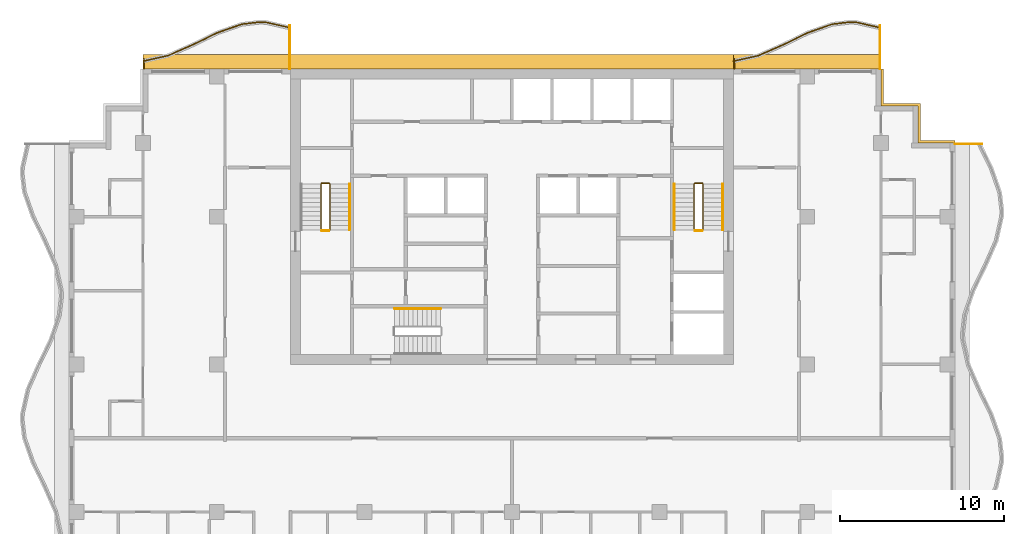
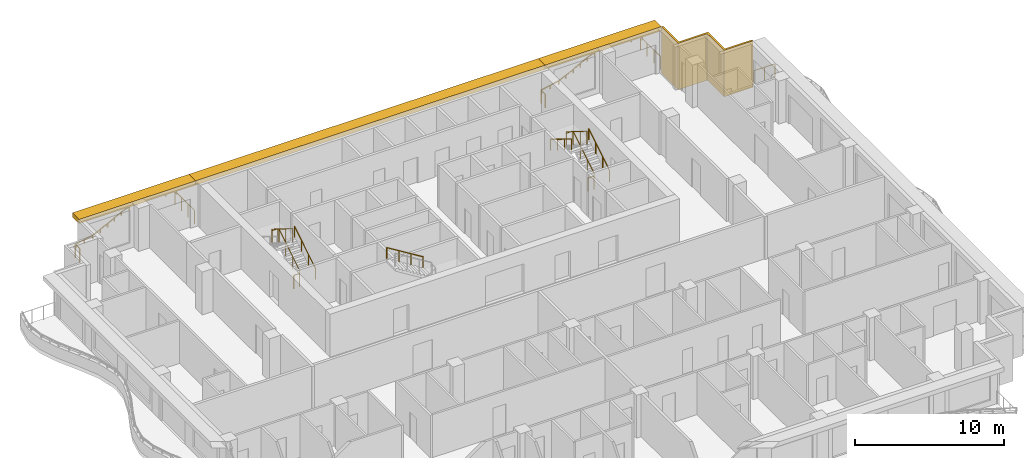
# One storey, part 11 of 11: 15 railings, 4 shading devices.
"""IFC4 building model written with IfcOpenShell, lengths in metres."""

from ifc_helpers import new_model, si_unit, direction, frame, origin, origin_2d, place, context, subcontext, project, spatial, polyline, rectangle, circle, outline, extrude, material, layer, layer_set, type_object, element, save


model = new_model("IFC4")

# Units and contexts
model_context = context("Model", 3, precision=1e-05, world=origin(), true_north=direction((0.0, 1.0)))
body_context = subcontext(model_context, "Body", "Model", "MODEL_VIEW")
ifc_project = project(units=[si_unit("LENGTHUNIT", "METRE"), si_unit("AREAUNIT", "SQUARE_METRE"), si_unit("VOLUMEUNIT", "CUBIC_METRE"), si_unit("PLANEANGLEUNIT", "RADIAN"), si_unit("MASSUNIT", "GRAM", prefix="KILO")], contexts=[model_context])

# Site, building, storey
site_placement = place(None, origin())
site = spatial("IfcSite", under=ifc_project, at=site_placement, CompositionType="ELEMENT")
building_placement = place(site_placement, origin())
building = spatial("IfcBuilding", under=site, at=building_placement, Name="Orbiselva Terraces", CompositionType="ELEMENT")
storey_placement = place(building_placement, frame((0.0, 0.0, 276.8)))
storey = spatial("IfcBuildingStorey", under=building, at=storey_placement, Name="L70", CompositionType="ELEMENT", Elevation=276.8)

# Railings
ifc_material_1 = material(Name="Stainless steel", Category="steel")
railing_type_1 = type_object("IfcRailingType", Name="CORE-GUARD-1100", PredefinedType="GUARDRAIL", material=ifc_material_1)
railing_1_placement = place(storey_placement, frame((-11.1, 12.7, 0.172727)))
element("IfcRailing", 1, at=railing_1_placement, inside=storey, type_object=railing_type_1, Name="L70 S1 stair guard 1", PredefinedType="GUARDRAIL", context=body_context, shape_type="SweptSolid", body=[
    extrude(circle(Radius=0.024, at=origin_2d()), frame((0.0, 0.0, 1.081), z_axis=(0.0, 0.851088519012, 0.52502222125), x_axis=(-1.0, 0.0, 0.0)), (0.0, 0.0, 1.0), 3.289905),
    extrude(circle(Radius=0.024, at=origin_2d()), frame((0.0, 2.8, 2.808273), z_axis=(-0.707106781187, 0.707106781187, 0.0), x_axis=(-0.707106781187, -0.707106781187, 0.0)), (0.0, 0.0, 1.0), 0.070711),
    extrude(circle(Radius=0.024, at=origin_2d()), frame((-0.05, 2.85, 2.808273), z_axis=(-1.0, 0.0, 0.0), x_axis=(0.0, -1.0, 0.0)), (0.0, 0.0, 1.0), 0.45),
    extrude(circle(Radius=0.024, at=origin_2d()), frame((-0.5, 2.85, 2.808273), z_axis=(-0.267894925557, -0.267894925557, 0.925453736133), x_axis=(0.707106781187, -0.707106781187, 0.0)), (0.0, 0.0, 1.0), 0.18664),
    extrude(circle(Radius=0.024, at=origin_2d()), frame((-0.55, 2.8, 2.981), z_axis=(0.0, -0.851088519012, 0.52502222125), x_axis=(1.0, 0.0, 0.0)), (0.0, 0.0, 1.0), 3.289905),
    extrude(circle(Radius=0.021, at=origin_2d()), origin(), (0.0, 0.0, 1.0), 1.057),
    extrude(circle(Radius=0.021, at=origin_2d()), frame((0.0, 0.933333, 0.575758)), (0.0, 0.0, 1.0), 1.057),
    extrude(circle(Radius=0.021, at=origin_2d()), frame((0.0, 1.866667, 1.151515)), (0.0, 0.0, 1.0), 1.057),
    extrude(circle(Radius=0.021, at=origin_2d()), frame((0.0, 2.8, 1.727273)), (0.0, 0.0, 1.0), 1.057),
    extrude(circle(Radius=0.021, at=origin_2d()), frame((-0.05, 2.85, 1.727273)), (0.0, 0.0, 1.0), 1.057),
    extrude(circle(Radius=0.021, at=origin_2d()), frame((-0.5, 2.85, 1.727273)), (0.0, 0.0, 1.0), 1.057),
    extrude(circle(Radius=0.021, at=origin_2d()), frame((-0.55, 2.8, 1.9)), (0.0, 0.0, 1.0), 1.057),
    extrude(circle(Radius=0.021, at=origin_2d()), frame((-0.55, 1.866667, 2.475758)), (0.0, 0.0, 1.0), 1.057),
    extrude(circle(Radius=0.021, at=origin_2d()), frame((-0.55, 0.933333, 3.051515)), (0.0, 0.0, 1.0), 1.057),
    extrude(circle(Radius=0.021, at=origin_2d()), frame((-0.55, 0.0, 3.627273)), (0.0, 0.0, 1.0), 1.057),
])
railing_2_placement = place(storey_placement, frame((-11.15, 12.65, 0.0)))
element("IfcRailing", 2, at=railing_2_placement, inside=storey, type_object=railing_type_1, Name="L70 S1 stair guard 2", PredefinedType="GUARDRAIL", context=body_context, shape_type="SweptSolid", body=[
    extrude(circle(Radius=0.024, at=origin_2d()), frame((0.0, 0.0, 1.081), z_axis=(-1.0, 0.0, 0.0), x_axis=(0.0, -1.0, 0.0)), (0.0, 0.0, 1.0), 0.45),
    extrude(circle(Radius=0.021, at=origin_2d()), origin(), (0.0, 0.0, 1.0), 1.057),
    extrude(circle(Radius=0.021, at=origin_2d()), frame((-0.45, 0.0, 0.0)), (0.0, 0.0, 1.0), 1.057),
])
railing_3_placement = place(storey_placement, frame((11.65, 12.7, 0.172727)))
element("IfcRailing", 3, at=railing_3_placement, inside=storey, type_object=railing_type_1, Name="L70 S2 stair guard 1", PredefinedType="GUARDRAIL", context=body_context, shape_type="SweptSolid", body=[
    extrude(circle(Radius=0.024, at=origin_2d()), frame((0.0, 0.0, 1.081), z_axis=(0.0, 0.851088519012, 0.52502222125), x_axis=(-1.0, 0.0, 0.0)), (0.0, 0.0, 1.0), 3.289905),
    extrude(circle(Radius=0.024, at=origin_2d()), frame((0.0, 2.8, 2.808273), z_axis=(-0.707106781187, 0.707106781187, 0.0), x_axis=(-0.707106781187, -0.707106781187, 0.0)), (0.0, 0.0, 1.0), 0.070711),
    extrude(circle(Radius=0.024, at=origin_2d()), frame((-0.05, 2.85, 2.808273), z_axis=(-1.0, 0.0, 0.0), x_axis=(0.0, -1.0, 0.0)), (0.0, 0.0, 1.0), 0.45),
    extrude(circle(Radius=0.024, at=origin_2d()), frame((-0.5, 2.85, 2.808273), z_axis=(-0.267894925557, -0.267894925557, 0.925453736133), x_axis=(0.707106781187, -0.707106781187, 0.0)), (0.0, 0.0, 1.0), 0.18664),
    extrude(circle(Radius=0.024, at=origin_2d()), frame((-0.55, 2.8, 2.981), z_axis=(0.0, -0.851088519012, 0.52502222125), x_axis=(1.0, 0.0, 0.0)), (0.0, 0.0, 1.0), 3.289905),
    extrude(circle(Radius=0.021, at=origin_2d()), origin(), (0.0, 0.0, 1.0), 1.057),
    extrude(circle(Radius=0.021, at=origin_2d()), frame((0.0, 0.933333, 0.575758)), (0.0, 0.0, 1.0), 1.057),
    extrude(circle(Radius=0.021, at=origin_2d()), frame((0.0, 1.866667, 1.151515)), (0.0, 0.0, 1.0), 1.057),
    extrude(circle(Radius=0.021, at=origin_2d()), frame((0.0, 2.8, 1.727273)), (0.0, 0.0, 1.0), 1.057),
    extrude(circle(Radius=0.021, at=origin_2d()), frame((-0.05, 2.85, 1.727273)), (0.0, 0.0, 1.0), 1.057),
    extrude(circle(Radius=0.021, at=origin_2d()), frame((-0.5, 2.85, 1.727273)), (0.0, 0.0, 1.0), 1.057),
    extrude(circle(Radius=0.021, at=origin_2d()), frame((-0.55, 2.8, 1.9)), (0.0, 0.0, 1.0), 1.057),
    extrude(circle(Radius=0.021, at=origin_2d()), frame((-0.55, 1.866667, 2.475758)), (0.0, 0.0, 1.0), 1.057),
    extrude(circle(Radius=0.021, at=origin_2d()), frame((-0.55, 0.933333, 3.051515)), (0.0, 0.0, 1.0), 1.057),
    extrude(circle(Radius=0.021, at=origin_2d()), frame((-0.55, 0.0, 3.627273)), (0.0, 0.0, 1.0), 1.057),
])
railing_4_placement = place(storey_placement, frame((11.6, 12.65, 0.0)))
element("IfcRailing", 4, at=railing_4_placement, inside=storey, type_object=railing_type_1, Name="L70 S2 stair guard 2", PredefinedType="GUARDRAIL", context=body_context, shape_type="SweptSolid", body=[
    extrude(circle(Radius=0.024, at=origin_2d()), frame((0.0, 0.0, 1.081), z_axis=(-1.0, 0.0, 0.0), x_axis=(0.0, -1.0, 0.0)), (0.0, 0.0, 1.0), 0.45),
    extrude(circle(Radius=0.021, at=origin_2d()), origin(), (0.0, 0.0, 1.0), 1.057),
    extrude(circle(Radius=0.021, at=origin_2d()), frame((-0.45, 0.0, 0.0)), (0.0, 0.0, 1.0), 1.057),
])
railing_type_2 = type_object("IfcRailingType", Name="CORE-HANDRAIL-900", PredefinedType="HANDRAIL", material=ifc_material_1)
for number, where, name in (
    (5, (-9.9, 12.7, 0.172727), "L70 S1 stair handrail 1"),
    (6, (12.85, 12.7, 0.172727), "L70 S2 stair handrail 1"),
):
    element("IfcRailing", number, at=place(storey_placement, frame(where)), inside=storey, type_object=railing_type_2, Name=name, PredefinedType="HANDRAIL", context=body_context, shape_type="SweptSolid", body=[
        extrude(circle(Radius=0.024, at=origin_2d()), frame((0.0, 0.0, 0.876), z_axis=(0.0, 0.851088519012, 0.52502222125), x_axis=(-1.0, 0.0, 0.0)), (0.0, 0.0, 1.0), 3.289905),
        extrude(circle(Radius=0.021, at=origin_2d()), origin(), (0.0, 0.0, 1.0), 0.852),
        extrude(circle(Radius=0.021, at=origin_2d()), frame((0.0, 0.933333, 0.575758)), (0.0, 0.0, 1.0), 0.852),
        extrude(circle(Radius=0.021, at=origin_2d()), frame((0.0, 1.866667, 1.151515)), (0.0, 0.0, 1.0), 0.852),
        extrude(circle(Radius=0.021, at=origin_2d()), frame((0.0, 2.8, 1.727273)), (0.0, 0.0, 1.0), 0.852),
    ])
railing_5_placement = place(storey_placement, frame((9.9, 15.5, 2.072727)))
element("IfcRailing", 7, at=railing_5_placement, inside=storey, type_object=railing_type_2, Name="L70 S2 stair handrail 2", PredefinedType="HANDRAIL", context=body_context, shape_type="SweptSolid", body=[
    extrude(circle(Radius=0.024, at=origin_2d()), frame((0.0, 0.0, 0.876), z_axis=(0.0, -0.851088519012, 0.52502222125), x_axis=(1.0, 0.0, 0.0)), (0.0, 0.0, 1.0), 3.289905),
    extrude(circle(Radius=0.021, at=origin_2d()), origin(), (0.0, 0.0, 1.0), 0.852),
    extrude(circle(Radius=0.021, at=origin_2d()), frame((0.0, -0.933333, 0.575758)), (0.0, 0.0, 1.0), 0.852),
    extrude(circle(Radius=0.021, at=origin_2d()), frame((0.0, -1.866667, 1.151515)), (0.0, 0.0, 1.0), 0.852),
    extrude(circle(Radius=0.021, at=origin_2d()), frame((0.0, -2.8, 1.727273)), (0.0, 0.0, 1.0), 0.852),
])
railing_6_placement = place(storey_placement, frame((-4.35, 7.9, 2.072727)))
element("IfcRailing", 8, at=railing_6_placement, inside=storey, type_object=railing_type_2, Name="L70 S3 stair handrail 2", PredefinedType="HANDRAIL", context=body_context, shape_type="SweptSolid", body=[
    extrude(circle(Radius=0.024, at=origin_2d()), frame((0.0, 0.0, 0.876), z_axis=(-0.851088519012, 0.0, 0.52502222125), x_axis=(0.0, -1.0, 0.0)), (0.0, 0.0, 1.0), 3.289905),
    extrude(circle(Radius=0.021, at=origin_2d()), origin(), (0.0, 0.0, 1.0), 0.852),
    extrude(circle(Radius=0.021, at=origin_2d()), frame((-0.933333, 0.0, 0.575758)), (0.0, 0.0, 1.0), 0.852),
    extrude(circle(Radius=0.021, at=origin_2d()), frame((-1.866667, 0.0, 1.151515)), (0.0, 0.0, 1.0), 0.852),
    extrude(circle(Radius=0.021, at=origin_2d()), frame((-2.8, 0.0, 1.727273)), (0.0, 0.0, 1.0), 0.852),
])
ifc_material_2 = material(Name="Bonded two-ply safety glass balustrade, stainless steel posts", Category="steel")
railing_type_3 = type_object("IfcRailingType", Name="ENV-BALUSTRADE-1200", PredefinedType="BALUSTRADE", material=ifc_material_2)
railing_7_placement = place(storey_placement, frame((22.472623, 25.026563, 0.9)))
element("IfcRailing", 9, at=railing_7_placement, inside=storey, type_object=railing_type_3, Name="Balcony balustrade L70 NE", PredefinedType="BALUSTRADE", context=body_context, shape_type="SweptSolid", body=[
    extrude(outline(polyline([(0.028868, 0.0), (0.014434, 0.025), (-0.014434, 0.025), (-0.028868, 0.0), (-0.014434, -0.025), (0.014434, -0.025), (0.028868, 0.0)])), frame((0.0, 0.0, 0.275), z_axis=(-0.975721322437, 0.21901575501, 0.0), x_axis=(-0.21901575501, -0.975721322437, 0.0)), (0.0, 0.0, 1.0), 1.525954),
    extrude(outline(polyline([(0.028868, 0.0), (0.014434, 0.025), (-0.014434, 0.025), (-0.028868, 0.0), (-0.014434, -0.025), (0.014434, -0.025), (0.028868, 0.0)])), frame((-1.488906, 0.334208, 0.275), z_axis=(-0.999224931454, 0.039364150694, 0.0), x_axis=(-0.039364150694, -0.999224931454, 0.0)), (0.0, 0.0, 1.0), 0.354206),
    extrude(outline(polyline([(0.028868, 0.0), (0.014434, 0.025), (-0.014434, 0.025), (-0.028868, 0.0), (-0.014434, -0.025), (0.014434, -0.025), (0.028868, 0.0)])), frame((-1.842837, 0.348151, 0.275), z_axis=(-0.993309658409, -0.115481264762, 0.0), x_axis=(0.115481264762, -0.993309658409, 0.0)), (0.0, 0.0, 1.0), 1.10902),
    extrude(outline(polyline([(0.028868, 0.0), (0.014434, 0.025), (-0.014434, 0.025), (-0.028868, 0.0), (-0.014434, -0.025), (0.014434, -0.025), (0.028868, 0.0)])), frame((-2.944437, 0.22008, 0.275), z_axis=(-0.943972277814, -0.330024754707, 0.0), x_axis=(0.330024754707, -0.943972277814, 0.0)), (0.0, 0.0, 1.0), 1.567807),
    extrude(outline(polyline([(0.028868, 0.0), (0.014434, 0.025), (-0.014434, 0.025), (-0.028868, 0.0), (-0.014434, -0.025), (0.014434, -0.025), (0.028868, 0.0)])), frame((-4.424403, -0.297335, 0.275), z_axis=(-0.89857890432, -0.438811978768, 0.0), x_axis=(0.438811978768, -0.89857890432, 0.0)), (0.0, 0.0, 1.0), 1.66438),
    extrude(outline(polyline([(0.028868, 0.0), (0.014434, 0.025), (-0.014434, 0.025), (-0.028868, 0.0), (-0.014434, -0.025), (0.014434, -0.025), (0.028868, 0.0)])), frame((-5.91998, -1.027685, 0.275), z_axis=(-0.915133527237, -0.403150874148, 0.0), x_axis=(0.403150874148, -0.915133527237, 0.0)), (0.0, 0.0, 1.0), 1.653736),
    extrude(outline(polyline([(0.028868, 0.0), (0.014434, 0.025), (-0.014434, 0.025), (-0.028868, 0.0), (-0.014434, -0.025), (0.014434, -0.025), (0.028868, 0.0)])), frame((-7.433369, -1.69439, 0.275), z_axis=(-0.975721349543, -0.219015634252, 0.0), x_axis=(0.219015634252, -0.975721349543, 0.0)), (0.0, 0.0, 1.0), 1.549497),
    extrude(rectangle(XDim=0.05, YDim=0.05, at=origin_2d()), origin(), (0.0, 0.0, 1.0), 0.25),
    extrude(rectangle(XDim=0.05, YDim=0.05, at=origin_2d()), frame((-0.744453, 0.167104, 0.0)), (0.0, 0.0, 1.0), 0.25),
    extrude(rectangle(XDim=0.05, YDim=0.05, at=origin_2d()), frame((-1.488906, 0.334208, 0.0)), (0.0, 0.0, 1.0), 0.25),
    extrude(rectangle(XDim=0.05, YDim=0.05, at=origin_2d()), frame((-1.842837, 0.348151, 0.0)), (0.0, 0.0, 1.0), 0.25),
    extrude(rectangle(XDim=0.05, YDim=0.05, at=origin_2d()), frame((-2.944437, 0.22008, 0.0)), (0.0, 0.0, 1.0), 0.25),
    extrude(rectangle(XDim=0.05, YDim=0.05, at=origin_2d()), frame((-3.68442, -0.038628, 0.0)), (0.0, 0.0, 1.0), 0.25),
    extrude(rectangle(XDim=0.05, YDim=0.05, at=origin_2d()), frame((-4.424403, -0.297335, 0.0)), (0.0, 0.0, 1.0), 0.25),
    extrude(rectangle(XDim=0.05, YDim=0.05, at=origin_2d()), frame((-5.172191, -0.66251, 0.0)), (0.0, 0.0, 1.0), 0.25),
    extrude(rectangle(XDim=0.05, YDim=0.05, at=origin_2d()), frame((-5.91998, -1.027685, 0.0)), (0.0, 0.0, 1.0), 0.25),
    extrude(rectangle(XDim=0.05, YDim=0.05, at=origin_2d()), frame((-6.676674, -1.361037, 0.0)), (0.0, 0.0, 1.0), 0.25),
    extrude(rectangle(XDim=0.05, YDim=0.05, at=origin_2d()), frame((-7.433369, -1.69439, 0.0)), (0.0, 0.0, 1.0), 0.25),
    extrude(rectangle(XDim=0.05, YDim=0.05, at=origin_2d()), frame((-8.189307, -1.864072, 0.0)), (0.0, 0.0, 1.0), 0.25),
    extrude(rectangle(XDim=0.05, YDim=0.05, at=origin_2d()), frame((-8.945246, -2.033754, 0.0)), (0.0, 0.0, 1.0), 0.25),
])
railing_8_placement = place(storey_placement, frame((-13.527377, 25.026563, 0.9)))
element("IfcRailing", 10, at=railing_8_placement, inside=storey, type_object=railing_type_3, Name="Balcony balustrade L70 NW", PredefinedType="BALUSTRADE", context=body_context, shape_type="SweptSolid", body=[
    extrude(outline(polyline([(0.028868, 0.0), (0.014434, 0.025), (-0.014434, 0.025), (-0.028868, 0.0), (-0.014434, -0.025), (0.014434, -0.025), (0.028868, 0.0)])), frame((0.0, 0.0, 0.275), z_axis=(-0.975721322437, 0.21901575501, 0.0), x_axis=(-0.21901575501, -0.975721322437, 0.0)), (0.0, 0.0, 1.0), 1.525954),
    extrude(outline(polyline([(0.028868, 0.0), (0.014434, 0.025), (-0.014434, 0.025), (-0.028868, 0.0), (-0.014434, -0.025), (0.014434, -0.025), (0.028868, 0.0)])), frame((-1.488906, 0.334208, 0.275), z_axis=(-0.999224931454, 0.039364150694, 0.0), x_axis=(-0.039364150694, -0.999224931454, 0.0)), (0.0, 0.0, 1.0), 0.354206),
    extrude(outline(polyline([(0.028868, 0.0), (0.014434, 0.025), (-0.014434, 0.025), (-0.028868, 0.0), (-0.014434, -0.025), (0.014434, -0.025), (0.028868, 0.0)])), frame((-1.842837, 0.348151, 0.275), z_axis=(-0.993309658409, -0.115481264762, 0.0), x_axis=(0.115481264762, -0.993309658409, 0.0)), (0.0, 0.0, 1.0), 1.10902),
    extrude(outline(polyline([(0.028868, 0.0), (0.014434, 0.025), (-0.014434, 0.025), (-0.028868, 0.0), (-0.014434, -0.025), (0.014434, -0.025), (0.028868, 0.0)])), frame((-2.944437, 0.22008, 0.275), z_axis=(-0.943972277814, -0.330024754707, 0.0), x_axis=(0.330024754707, -0.943972277814, 0.0)), (0.0, 0.0, 1.0), 1.567807),
    extrude(outline(polyline([(0.028868, 0.0), (0.014434, 0.025), (-0.014434, 0.025), (-0.028868, 0.0), (-0.014434, -0.025), (0.014434, -0.025), (0.028868, 0.0)])), frame((-4.424403, -0.297335, 0.275), z_axis=(-0.89857890432, -0.438811978768, 0.0), x_axis=(0.438811978768, -0.89857890432, 0.0)), (0.0, 0.0, 1.0), 1.66438),
    extrude(outline(polyline([(0.028868, 0.0), (0.014434, 0.025), (-0.014434, 0.025), (-0.028868, 0.0), (-0.014434, -0.025), (0.014434, -0.025), (0.028868, 0.0)])), frame((-5.91998, -1.027685, 0.275), z_axis=(-0.915133527237, -0.403150874148, 0.0), x_axis=(0.403150874148, -0.915133527237, 0.0)), (0.0, 0.0, 1.0), 1.653736),
    extrude(outline(polyline([(0.028868, 0.0), (0.014434, 0.025), (-0.014434, 0.025), (-0.028868, 0.0), (-0.014434, -0.025), (0.014434, -0.025), (0.028868, 0.0)])), frame((-7.433369, -1.69439, 0.275), z_axis=(-0.975721349543, -0.219015634252, 0.0), x_axis=(0.219015634252, -0.975721349543, 0.0)), (0.0, 0.0, 1.0), 1.549497),
    extrude(rectangle(XDim=0.05, YDim=0.05, at=origin_2d()), origin(), (0.0, 0.0, 1.0), 0.25),
    extrude(rectangle(XDim=0.05, YDim=0.05, at=origin_2d()), frame((-0.744453, 0.167104, 0.0)), (0.0, 0.0, 1.0), 0.25),
    extrude(rectangle(XDim=0.05, YDim=0.05, at=origin_2d()), frame((-1.488906, 0.334208, 0.0)), (0.0, 0.0, 1.0), 0.25),
    extrude(rectangle(XDim=0.05, YDim=0.05, at=origin_2d()), frame((-1.842837, 0.348151, 0.0)), (0.0, 0.0, 1.0), 0.25),
    extrude(rectangle(XDim=0.05, YDim=0.05, at=origin_2d()), frame((-2.944437, 0.22008, 0.0)), (0.0, 0.0, 1.0), 0.25),
    extrude(rectangle(XDim=0.05, YDim=0.05, at=origin_2d()), frame((-3.68442, -0.038628, 0.0)), (0.0, 0.0, 1.0), 0.25),
    extrude(rectangle(XDim=0.05, YDim=0.05, at=origin_2d()), frame((-4.424403, -0.297335, 0.0)), (0.0, 0.0, 1.0), 0.25),
    extrude(rectangle(XDim=0.05, YDim=0.05, at=origin_2d()), frame((-5.172192, -0.66251, 0.0)), (0.0, 0.0, 1.0), 0.25),
    extrude(rectangle(XDim=0.05, YDim=0.05, at=origin_2d()), frame((-5.91998, -1.027685, 0.0)), (0.0, 0.0, 1.0), 0.25),
    extrude(rectangle(XDim=0.05, YDim=0.05, at=origin_2d()), frame((-6.676675, -1.361037, 0.0)), (0.0, 0.0, 1.0), 0.25),
    extrude(rectangle(XDim=0.05, YDim=0.05, at=origin_2d()), frame((-7.433369, -1.69439, 0.0)), (0.0, 0.0, 1.0), 0.25),
    extrude(rectangle(XDim=0.05, YDim=0.05, at=origin_2d()), frame((-8.189308, -1.864072, 0.0)), (0.0, 0.0, 1.0), 0.25),
    extrude(rectangle(XDim=0.05, YDim=0.05, at=origin_2d()), frame((-8.945246, -2.033754, 0.0)), (0.0, 0.0, 1.0), 0.25),
])
ifc_material_3 = material(Name="Stainless steel rail and posts", Category="steel")
railing_type_4 = type_object("IfcRailingType", Name="ENV-GUARD-1105", PredefinedType="BALUSTRADE", material=ifc_material_3)
railing_9_placement = place(storey_placement, frame((28.642123, 17.94, 0.0)))
element("IfcRailing", 11, at=railing_9_placement, inside=storey, type_object=railing_type_4, Name="Balcony end guard L70 E", PredefinedType="BALUSTRADE", context=body_context, shape_type="SweptSolid", body=[
    extrude(outline(polyline([(0.028868, 0.0), (0.014434, 0.025), (-0.014434, 0.025), (-0.028868, 0.0), (-0.014434, -0.025), (0.014434, -0.025), (0.028868, 0.0)])), frame((0.0, 0.0, 1.08), z_axis=(-1.0, 0.0, 0.0), x_axis=(0.0, -1.0, 0.0)), (0.0, 0.0, 1.0), 1.617123),
    extrude(rectangle(XDim=0.05, YDim=0.05, at=origin_2d()), origin(), (0.0, 0.0, 1.0), 1.055),
    extrude(rectangle(XDim=0.05, YDim=0.05, at=origin_2d()), frame((-0.808562, 0.0, 0.0)), (0.0, 0.0, 1.0), 1.055),
    extrude(rectangle(XDim=0.05, YDim=0.05, at=origin_2d()), frame((-1.617123, 0.0, 0.0)), (0.0, 0.0, 1.0), 1.055),
])
railing_10_placement = place(storey_placement, frame((22.44, 25.169584, 0.0)))
element("IfcRailing", 12, at=railing_10_placement, inside=storey, type_object=railing_type_4, Name="Balcony end guard L70 NE", PredefinedType="BALUSTRADE", context=body_context, shape_type="SweptSolid", body=[
    extrude(outline(polyline([(0.028868, 0.0), (0.014434, 0.025), (-0.014434, 0.025), (-0.028868, 0.0), (-0.014434, -0.025), (0.014434, -0.025), (0.028868, 0.0)])), frame((0.0, 0.0, 1.08), z_axis=(0.0, -1.0, 0.0), x_axis=(1.0, 0.0, 0.0)), (0.0, 0.0, 1.0), 2.644584),
    extrude(rectangle(XDim=0.05, YDim=0.05, at=origin_2d()), origin(), (0.0, 0.0, 1.0), 1.055),
    extrude(rectangle(XDim=0.05, YDim=0.05, at=origin_2d()), frame((0.0, -0.881528, 0.0)), (0.0, 0.0, 1.0), 1.055),
    extrude(rectangle(XDim=0.05, YDim=0.05, at=origin_2d()), frame((0.0, -1.763056, 0.0)), (0.0, 0.0, 1.0), 1.055),
    extrude(rectangle(XDim=0.05, YDim=0.05, at=origin_2d()), frame((0.0, -2.644584, 0.0)), (0.0, 0.0, 1.0), 1.055),
])
railing_11_placement = place(storey_placement, frame((13.56, 23.119866, 0.0)))
element("IfcRailing", 13, at=railing_11_placement, inside=storey, type_object=railing_type_4, Name="Balcony end guard L70 NE", PredefinedType="BALUSTRADE", context=body_context, shape_type="SweptSolid", body=[
    extrude(outline(polyline([(0.028868, 0.0), (0.014434, 0.025), (-0.014434, 0.025), (-0.028868, 0.0), (-0.014434, -0.025), (0.014434, -0.025), (0.028868, 0.0)])), frame((0.0, 0.0, 1.08), z_axis=(0.0, -1.0, 0.0), x_axis=(1.0, 0.0, 0.0)), (0.0, 0.0, 1.0), 0.594866),
    extrude(rectangle(XDim=0.05, YDim=0.05, at=origin_2d()), origin(), (0.0, 0.0, 1.0), 1.055),
    extrude(rectangle(XDim=0.05, YDim=0.05, at=origin_2d()), frame((0.0, -0.594866, 0.0)), (0.0, 0.0, 1.0), 1.055),
])
railing_12_placement = place(storey_placement, frame((-13.56, 25.169584, 0.0)))
element("IfcRailing", 14, at=railing_12_placement, inside=storey, type_object=railing_type_4, Name="Balcony end guard L70 NW", PredefinedType="BALUSTRADE", context=body_context, shape_type="SweptSolid", body=[
    extrude(outline(polyline([(0.028868, 0.0), (0.014434, 0.025), (-0.014434, 0.025), (-0.028868, 0.0), (-0.014434, -0.025), (0.014434, -0.025), (0.028868, 0.0)])), frame((0.0, 0.0, 1.08), z_axis=(0.0, -1.0, 0.0), x_axis=(1.0, 0.0, 0.0)), (0.0, 0.0, 1.0), 2.644584),
    extrude(rectangle(XDim=0.05, YDim=0.05, at=origin_2d()), origin(), (0.0, 0.0, 1.0), 1.055),
    extrude(rectangle(XDim=0.05, YDim=0.05, at=origin_2d()), frame((0.0, -0.881528, 0.0)), (0.0, 0.0, 1.0), 1.055),
    extrude(rectangle(XDim=0.05, YDim=0.05, at=origin_2d()), frame((0.0, -1.763056, 0.0)), (0.0, 0.0, 1.0), 1.055),
    extrude(rectangle(XDim=0.05, YDim=0.05, at=origin_2d()), frame((0.0, -2.644584, 0.0)), (0.0, 0.0, 1.0), 1.055),
])
railing_13_placement = place(storey_placement, frame((-22.44, 23.119866, 0.0)))
element("IfcRailing", 15, at=railing_13_placement, inside=storey, type_object=railing_type_4, Name="Balcony end guard L70 NW", PredefinedType="BALUSTRADE", context=body_context, shape_type="SweptSolid", body=[
    extrude(outline(polyline([(0.028868, 0.0), (0.014434, 0.025), (-0.014434, 0.025), (-0.028868, 0.0), (-0.014434, -0.025), (0.014434, -0.025), (0.028868, 0.0)])), frame((0.0, 0.0, 1.08), z_axis=(0.0, -1.0, 0.0), x_axis=(1.0, 0.0, 0.0)), (0.0, 0.0, 1.0), 0.594866),
    extrude(rectangle(XDim=0.05, YDim=0.05, at=origin_2d()), origin(), (0.0, 0.0, 1.0), 1.055),
    extrude(rectangle(XDim=0.05, YDim=0.05, at=origin_2d()), frame((0.0, -0.594866, 0.0)), (0.0, 0.0, 1.0), 1.055),
])

# Shading devices
ifc_material_4 = material(Name="Terracotta louvre screen", Category="masonry")
ifc_layer_1 = layer(ifc_material_4, 0.15)
ifc_layer_set_1 = layer_set([ifc_layer_1], Name="Terracotta louvre screen")
shading_device_type_1 = type_object("IfcShadingDeviceType", Name="ENV-SCREEN-150", PredefinedType="USERDEFINED", material=ifc_layer_set_1)
shading_device_1_placement = place(storey_placement, frame((0.0, 0.0, -0.3)))
element("IfcShadingDevice", 16, at=shading_device_1_placement, inside=storey, type_object=shading_device_type_1, Name="Louvre screen L70 NE", ObjectType="SCREEN", PredefinedType="USERDEFINED", context=body_context, shape_type="SweptSolid", body=[
    extrude(outline(polyline([(27.0, 18.15), (24.9, 18.15), (24.9, 20.4), (22.65, 20.4), (22.65, 22.5), (22.5, 22.5), (22.5, 20.25), (24.75, 20.25), (24.75, 18.0), (27.0, 18.0), (27.0, 18.15)])), origin(), (0.0, 0.0, 1.0), 3.8),
])
ifc_material_5 = material(Name="Terracotta baguette sunshade", Category="masonry")
ifc_layer_2 = layer(ifc_material_5, 0.35)
ifc_layer_set_2 = layer_set([ifc_layer_2], Name="Terracotta baguette sunshade")
shading_device_type_2 = type_object("IfcShadingDeviceType", Name="ENV-SUNSHADE-900x350", PredefinedType="USERDEFINED", material=ifc_layer_set_2)
shading_device_2_placement = place(storey_placement, frame((0.0, 0.0, 3.15)))
element("IfcShadingDevice", 17, at=shading_device_2_placement, inside=storey, type_object=shading_device_type_2, Name="Sunshade band L70 NE", ObjectType="SUNSHADE", PredefinedType="USERDEFINED", context=body_context, shape_type="SweptSolid", body=[
    extrude(outline(polyline([(22.5, 23.4), (13.5, 23.4), (13.5, 22.5), (22.5, 22.5), (22.5, 23.4)])), origin(), (0.0, 0.0, 1.0), 0.35),
])
shading_device_3_placement = place(storey_placement, frame((0.0, 0.0, 3.15)))
element("IfcShadingDevice", 18, at=shading_device_3_placement, inside=storey, type_object=shading_device_type_2, Name="Sunshade band L70 CORE NORTH", ObjectType="SUNSHADE", PredefinedType="USERDEFINED", context=body_context, shape_type="SweptSolid", body=[
    extrude(outline(polyline([(13.5, 23.4), (-13.5, 23.4), (-13.5, 22.5), (13.5, 22.5), (13.5, 23.4)])), origin(), (0.0, 0.0, 1.0), 0.35),
])
shading_device_4_placement = place(storey_placement, frame((0.0, 0.0, 3.15)))
element("IfcShadingDevice", 19, at=shading_device_4_placement, inside=storey, type_object=shading_device_type_2, Name="Sunshade band L70 NW", ObjectType="SUNSHADE", PredefinedType="USERDEFINED", context=body_context, shape_type="SweptSolid", body=[
    extrude(outline(polyline([(-13.5, 23.4), (-22.5, 23.4), (-22.5, 22.5), (-13.5, 22.5), (-13.5, 23.4)])), origin(), (0.0, 0.0, 1.0), 0.35),
])

save(model, "model.ifc")
